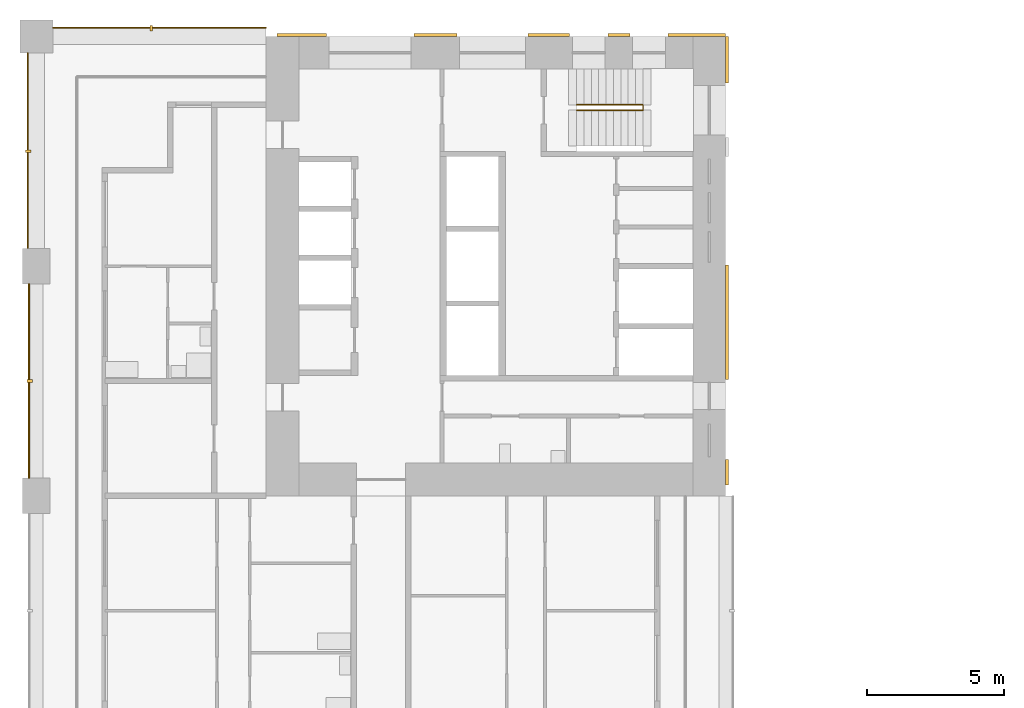
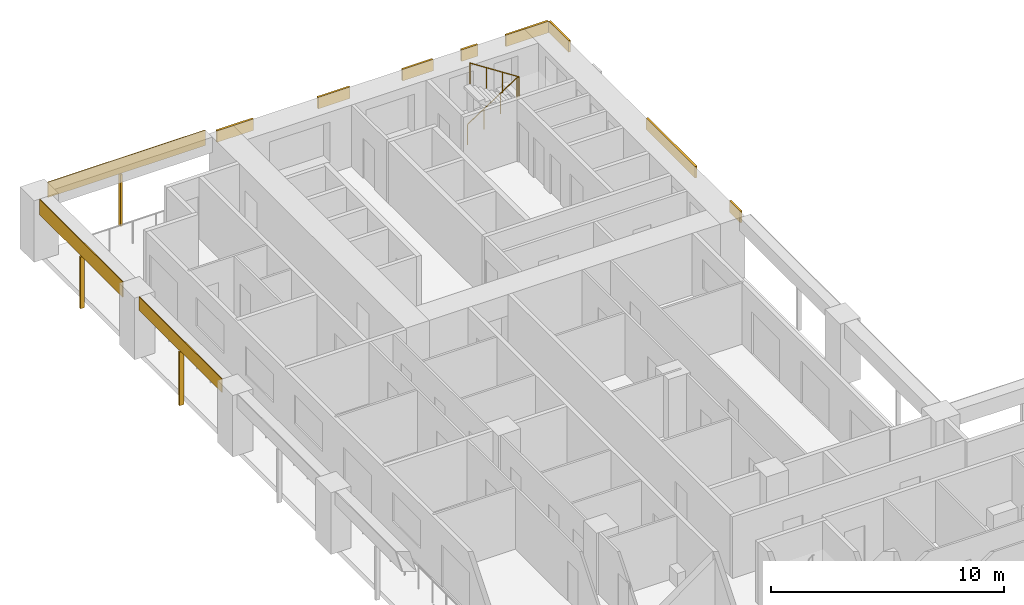
# One storey, part 14 of 17: 14 shading devices, 1 railing.
"""IFC4 building model written with IfcOpenShell, lengths in metres."""

from ifc_helpers import new_model, si_unit, direction, frame, origin, origin_2d, place, context, subcontext, project, spatial, rectangle, circle, extrude, material, layer, layer_set, material_profile, profile_set, type_object, element, save


model = new_model("IFC4")

# Units and contexts
model_context = context("Model", 3, precision=1e-05, world=origin(), true_north=direction((0.0, 1.0)))
body_context = subcontext(model_context, "Body", "Model", "MODEL_VIEW")
ifc_project = project(units=[si_unit("LENGTHUNIT", "METRE"), si_unit("AREAUNIT", "SQUARE_METRE"), si_unit("VOLUMEUNIT", "CUBIC_METRE"), si_unit("PLANEANGLEUNIT", "RADIAN"), si_unit("MASSUNIT", "GRAM", prefix="KILO")], contexts=[model_context])

# Site, building, storey
site_placement = place(None, origin())
site = spatial("IfcSite", under=ifc_project, at=site_placement, CompositionType="ELEMENT")
building_placement = place(site_placement, origin())
building = spatial("IfcBuilding", under=site, at=building_placement, Name="Vermilion Gate Residences", CompositionType="ELEMENT")
storey_placement = place(building_placement, frame((0.0, 0.0, 116.199951171875)))
storey = spatial("IfcBuildingStorey", under=building, at=storey_placement, Name="L29", CompositionType="ELEMENT", Elevation=116.199951171875)

# Shading devices
ifc_material_1 = material(Name="Perforated terracotta", Category="masonry")
ifc_layer_1 = layer(ifc_material_1, 0.0400390625)
ifc_layer_set_1 = layer_set([ifc_layer_1], Name="PERFORATED TERRACOTTA SCREEN 40")
shading_device_type_1 = type_object("IfcShadingDeviceType", Name="PERFORATED TERRACOTTA SCREEN 40", PredefinedType="SHUTTER", material=ifc_layer_set_1)
shading_device_1_placement = place(storey_placement, frame((4.5, 59.1201171875, 2.419921875), z_axis=(0.0, 0.0, 1.0), x_axis=(-1.0, 0.0, 0.0)))
element("IfcShadingDevice", 1, at=shading_device_1_placement, inside=storey, type_object=shading_device_type_1, Name="SCREEN", PredefinedType="SHUTTER", context=body_context, shape_type="SweptSolid", body=[
    extrude(rectangle(XDim=7.800048828125, YDim=0.0400390625, at=origin_2d()), origin(), (0.0, 0.0, 1.0), 0.800048828125),
])
shading_device_2_placement = place(storey_placement, frame((-0.27001953125, 46.199951171875, 2.52001953125), z_axis=(0.0, 0.0, 1.0), x_axis=(0.0, -1.0, 0.0)))
element("IfcShadingDevice", 2, at=shading_device_2_placement, inside=storey, type_object=shading_device_type_1, Name="SCREEN", PredefinedType="SHUTTER", context=body_context, shape_type="SweptSolid", body=[
    extrude(rectangle(XDim=7.10009765625, YDim=0.0400390625, at=origin_2d()), origin(), (0.0, 0.0, 1.0), 0.699951171875),
])
shading_device_3_placement = place(storey_placement, frame((-0.320068359375, 54.625, 2.419921875), z_axis=(0.0, 0.0, 1.0), x_axis=(0.0, -1.0, 0.0)))
element("IfcShadingDevice", 3, at=shading_device_3_placement, inside=storey, type_object=shading_device_type_1, Name="SCREEN", PredefinedType="SHUTTER", context=body_context, shape_type="SweptSolid", body=[
    extrude(rectangle(XDim=7.14990234375, YDim=0.0400390625, at=origin_2d()), origin(), (0.0, 0.0, 1.0), 0.800048828125),
])

# Railing
ifc_material_2 = material(Name="Steel S355", Category="steel")
railing_type = type_object("IfcRailingType", Name="STAIR GUARD 1100 STEEL", PredefinedType="GUARDRAIL", material=ifc_material_2)
railing_placement = place(storey_placement, frame((19.75, 56.300048828125, 0.175048828125)))
element("IfcRailing", 4, at=railing_placement, inside=storey, type_object=railing_type, Name="Stair well guard STB1-29", PredefinedType="GUARDRAIL", context=body_context, shape_type="SweptSolid", body=[
    extrude(circle(Radius=0.02392578125, at=origin_2d()), frame((0.0, 0.0, 1.076171875), z_axis=(0.839153699163, 0.0, 0.543894354798), x_axis=(0.0, 1.0, 0.0)), (0.0, 0.0, 1.0), 2.895751953125),
    extrude(circle(Radius=0.02392578125, at=origin_2d()), frame((2.429931640625, 0.0, 2.65087890625), z_axis=(0.0, -0.752405939678, 0.658699705433), x_axis=(1.0, 0.0, 0.0)), (0.0, 0.0, 1.0), 0.265869140625),
    extrude(circle(Radius=0.02392578125, at=origin_2d()), frame((2.429931640625, -0.199951171875, 2.826171875), z_axis=(-0.839153699163, 0.0, 0.543894354798), x_axis=(0.0, -1.0, 0.0)), (0.0, 0.0, 1.0), 2.895751953125),
    extrude(circle(Radius=0.02099609375, at=origin_2d()), origin(), (0.0, 0.0, 1.0), 1.052001953125),
    extrude(circle(Radius=0.02099609375, at=origin_2d()), frame((0.81005859375, 0.0, 0.52490234375)), (0.0, 0.0, 1.0), 1.052001953125),
    extrude(circle(Radius=0.02099609375, at=origin_2d()), frame((1.619873046875, 0.0, 1.050048828125)), (0.0, 0.0, 1.0), 1.052001953125),
    extrude(circle(Radius=0.02099609375, at=origin_2d()), frame((2.429931640625, 0.0, 1.574951171875)), (0.0, 0.0, 1.0), 1.052001953125),
    extrude(circle(Radius=0.02099609375, at=origin_2d()), frame((2.429931640625, -0.199951171875, 1.75)), (0.0, 0.0, 1.0), 1.052001953125),
    extrude(circle(Radius=0.02099609375, at=origin_2d()), frame((1.619873046875, -0.199951171875, 2.27490234375)), (0.0, 0.0, 1.0), 1.052001953125),
    extrude(circle(Radius=0.02099609375, at=origin_2d()), frame((0.81005859375, -0.199951171875, 2.800048828125)), (0.0, 0.0, 1.0), 1.052001953125),
    extrude(circle(Radius=0.02099609375, at=origin_2d()), frame((0.0, -0.199951171875, 3.324951171875)), (0.0, 0.0, 1.0), 1.052001953125),
])

# Shading devices
ifc_material_3 = material(Name="Extruded terracotta", Category="masonry")
ifc_material_profile = material_profile(ifc_material_3, rectangle(XDim=0.199951171875, YDim=0.10009765625, at=origin_2d()), Name="BAGUETTE 100 X 200")
ifc_profile_set = profile_set([ifc_material_profile], Name="Extruded terracotta")
shading_device_type_2 = type_object("IfcShadingDeviceType", Name="TERRACOTTA BAGUETTE 100 X 200", PredefinedType="JALOUSIE", material=ifc_profile_set)
shading_device_4_placement = place(storey_placement, frame((4.199951171875, 59.10009765625, -0.280029296875), z_axis=(0.0, 0.0, 1.0), x_axis=(0.0, -1.0, 0.0)))
element("IfcShadingDevice", 5, at=shading_device_4_placement, inside=storey, type_object=shading_device_type_2, Name="BAGUETTE", PredefinedType="JALOUSIE", context=body_context, shape_type="SweptSolid", body=[
    extrude(rectangle(XDim=0.199951171875, YDim=0.10009765625, at=origin_2d()), origin(), (0.0, 0.0, 1.0), 2.7001953125),
])
shading_device_5_placement = place(storey_placement, frame((-0.25, 46.199951171875, -0.280029296875), z_axis=(0.0, 0.0, 1.0), x_axis=(1.0, 0.0, 0.0)))
element("IfcShadingDevice", 6, at=shading_device_5_placement, inside=storey, type_object=shading_device_type_2, Name="BAGUETTE", PredefinedType="JALOUSIE", context=body_context, shape_type="SweptSolid", body=[
    extrude(rectangle(XDim=0.199951171875, YDim=0.10009765625, at=origin_2d()), origin(), (0.0, 0.0, 1.0), 2.800048828125),
])
shading_device_6_placement = place(storey_placement, frame((-0.300048828125, 54.60009765625, -0.280029296875), z_axis=(0.0, 0.0, 1.0), x_axis=(1.0, 0.0, 0.0)))
element("IfcShadingDevice", 7, at=shading_device_6_placement, inside=storey, type_object=shading_device_type_2, Name="BAGUETTE", PredefinedType="JALOUSIE", context=body_context, shape_type="SweptSolid", body=[
    extrude(rectangle(XDim=0.199951171875, YDim=0.10009765625, at=origin_2d()), origin(), (0.0, 0.0, 1.0), 2.7001953125),
])
ifc_material_4 = material(Name="Extruded terracotta", Category="masonry")
ifc_layer_2 = layer(ifc_material_4, 0.10009765625)
ifc_layer_set_2 = layer_set([ifc_layer_2], Name="TERRACOTTA SPANDREL BAND 600 X 100")
shading_device_type_3 = type_object("IfcShadingDeviceType", Name="TERRACOTTA SPANDREL BAND 600 X 100", PredefinedType="USERDEFINED", material=ifc_layer_set_2)
shading_device_7_placement = place(storey_placement, frame((9.702392578125, 58.85009765625, 2.6201171875), z_axis=(0.0, 0.0, 1.0), x_axis=(1.0, 0.0, 0.0)))
element("IfcShadingDevice", 8, at=shading_device_7_placement, inside=storey, type_object=shading_device_type_3, Name="SPANDREL BAND", ObjectType="BAND", PredefinedType="USERDEFINED", context=body_context, shape_type="SweptSolid", body=[
    extrude(rectangle(XDim=1.804931640625, YDim=0.10009765625, at=origin_2d()), origin(), (0.0, 0.0, 1.0), 0.60009765625),
])
shading_device_8_placement = place(storey_placement, frame((14.590087890625, 58.85009765625, 2.6201171875), z_axis=(0.0, 0.0, 1.0), x_axis=(1.0, 0.0, 0.0)))
element("IfcShadingDevice", 9, at=shading_device_8_placement, inside=storey, type_object=shading_device_type_3, Name="SPANDREL BAND", ObjectType="BAND", PredefinedType="USERDEFINED", context=body_context, shape_type="SweptSolid", body=[
    extrude(rectangle(XDim=1.570068359375, YDim=0.10009765625, at=origin_2d()), origin(), (0.0, 0.0, 1.0), 0.60009765625),
])
shading_device_9_placement = place(storey_placement, frame((18.734130859375, 58.85009765625, 2.6201171875), z_axis=(0.0, 0.0, 1.0), x_axis=(1.0, 0.0, 0.0)))
element("IfcShadingDevice", 10, at=shading_device_9_placement, inside=storey, type_object=shading_device_type_3, Name="SPANDREL BAND", ObjectType="BAND", PredefinedType="USERDEFINED", context=body_context, shape_type="SweptSolid", body=[
    extrude(rectangle(XDim=1.518310546875, YDim=0.10009765625, at=origin_2d()), origin(), (0.0, 0.0, 1.0), 0.60009765625),
])
shading_device_10_placement = place(storey_placement, frame((21.294921875, 58.85009765625, 2.6201171875), z_axis=(0.0, 0.0, 1.0), x_axis=(1.0, 0.0, 0.0)))
element("IfcShadingDevice", 11, at=shading_device_10_placement, inside=storey, type_object=shading_device_type_3, Name="SPANDREL BAND", ObjectType="BAND", PredefinedType="USERDEFINED", context=body_context, shape_type="SweptSolid", body=[
    extrude(rectangle(XDim=0.803466796875, YDim=0.10009765625, at=origin_2d()), origin(), (0.0, 0.0, 1.0), 0.60009765625),
])
shading_device_11_placement = place(storey_placement, frame((24.1484375, 58.85009765625, 2.6201171875), z_axis=(0.0, 0.0, 1.0), x_axis=(1.0, 0.0, 0.0)))
element("IfcShadingDevice", 12, at=shading_device_11_placement, inside=storey, type_object=shading_device_type_3, Name="SPANDREL BAND", ObjectType="BAND", PredefinedType="USERDEFINED", context=body_context, shape_type="SweptSolid", body=[
    extrude(rectangle(XDim=2.103271484375, YDim=0.10009765625, at=origin_2d()), origin(), (0.0, 0.0, 1.0), 0.60009765625),
])
shading_device_12_placement = place(storey_placement, frame((25.25, 42.862548828125, 2.6201171875), z_axis=(0.0, 0.0, 1.0), x_axis=(0.0, 1.0, 0.0)))
element("IfcShadingDevice", 13, at=shading_device_12_placement, inside=storey, type_object=shading_device_type_3, Name="SPANDREL BAND", ObjectType="BAND", PredefinedType="USERDEFINED", context=body_context, shape_type="SweptSolid", body=[
    extrude(rectangle(XDim=0.925048828125, YDim=0.10009765625, at=origin_2d()), origin(), (0.0, 0.0, 1.0), 0.60009765625),
])
shading_device_13_placement = place(storey_placement, frame((25.25, 48.35009765625, 2.6201171875), z_axis=(0.0, 0.0, 1.0), x_axis=(0.0, 1.0, 0.0)))
element("IfcShadingDevice", 14, at=shading_device_13_placement, inside=storey, type_object=shading_device_type_3, Name="SPANDREL BAND", ObjectType="BAND", PredefinedType="USERDEFINED", context=body_context, shape_type="SweptSolid", body=[
    extrude(rectangle(XDim=4.199951171875, YDim=0.10009765625, at=origin_2d()), origin(), (0.0, 0.0, 1.0), 0.60009765625),
])
shading_device_14_placement = place(storey_placement, frame((25.25, 57.949951171875, 2.6201171875), z_axis=(0.0, 0.0, 1.0), x_axis=(0.0, 1.0, 0.0)))
element("IfcShadingDevice", 15, at=shading_device_14_placement, inside=storey, type_object=shading_device_type_3, Name="SPANDREL BAND", ObjectType="BAND", PredefinedType="USERDEFINED", context=body_context, shape_type="SweptSolid", body=[
    extrude(rectangle(XDim=1.699951171875, YDim=0.10009765625, at=origin_2d()), origin(), (0.0, 0.0, 1.0), 0.60009765625),
])

save(model, "model.ifc")
